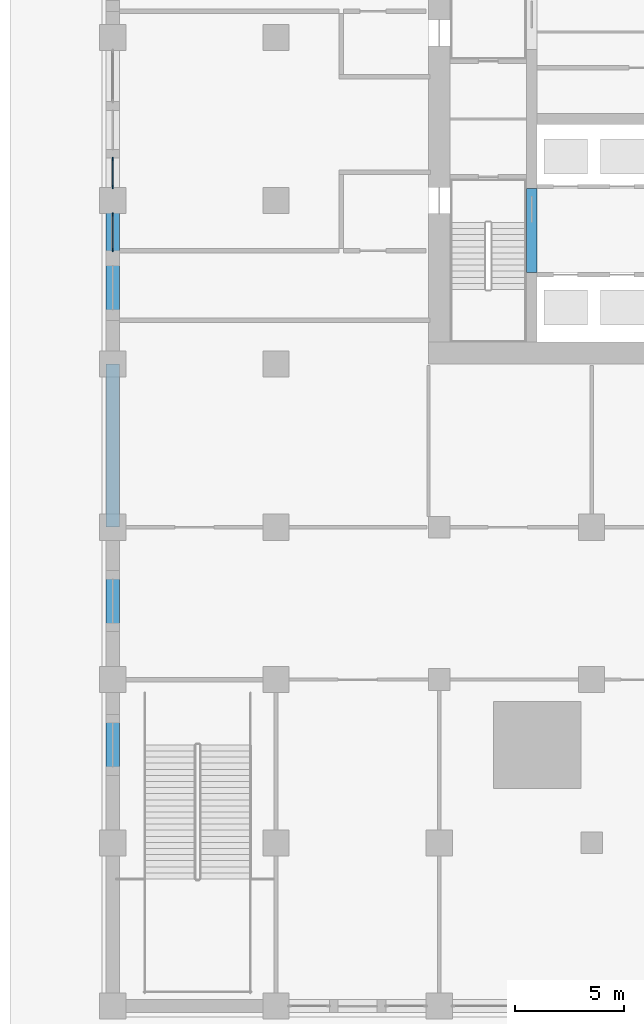
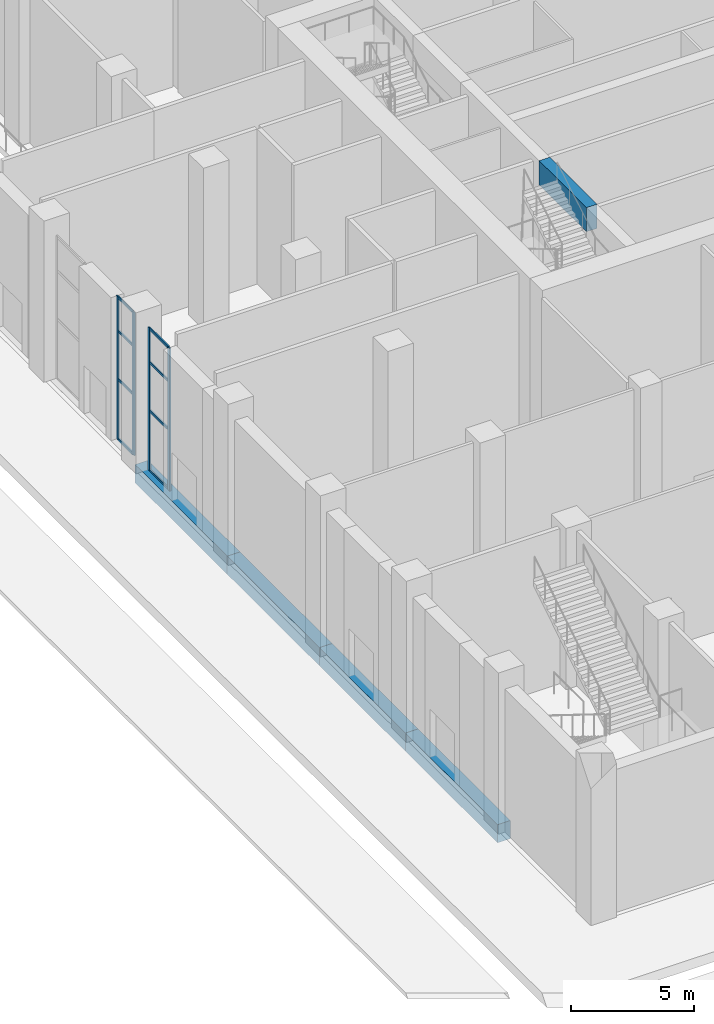
# One storey, part 6 of 57: 12 members, 5 beams, 2 elements without a shape of their own.
"""IFC4 building model written with IfcOpenShell, lengths in metres."""

from ifc_helpers import new_model, si_unit, direction, frame, origin, origin_2d, place, context, subcontext, project, spatial, rectangle, extrude, material, layer, layer_set, material_profile, profile_set, type_object, element, aggregate, save


model = new_model("IFC4")

# Units and contexts
model_context = context("Model", 3, precision=1e-05, world=origin(), true_north=direction((0.0, 1.0)))
body_context = subcontext(model_context, "Body", "Model", "MODEL_VIEW")
ifc_project = project(units=[si_unit("LENGTHUNIT", "METRE"), si_unit("AREAUNIT", "SQUARE_METRE"), si_unit("VOLUMEUNIT", "CUBIC_METRE"), si_unit("PLANEANGLEUNIT", "RADIAN"), si_unit("MASSUNIT", "GRAM", prefix="KILO")], contexts=[model_context])

# Site, building, storey
site_placement = place(None, origin())
site = spatial("IfcSite", under=ifc_project, at=site_placement, CompositionType="ELEMENT")
building_placement = place(site_placement, origin())
building = spatial("IfcBuilding", under=site, at=building_placement, Name="Tamorin Gate", CompositionType="ELEMENT")
storey_placement = place(building_placement, origin())
storey = spatial("IfcBuildingStorey", under=building, at=storey_placement, Name="L00", CompositionType="ELEMENT", Elevation=0.0)

# Beams
ifc_material_1 = material(Name="Concrete C80/95", Category="concrete")
ifc_material_profile_1 = material_profile(ifc_material_1, rectangle(XDim=0.5, YDim=1.199951171875, at=origin_2d()), Name="RC 500x1200")
ifc_profile_set_1 = profile_set([ifc_material_profile_1], Name="Concrete C80/95")
beam_type_1 = type_object("IfcBeamType", Name="RC coupling beam 500x1200 C80/95", PredefinedType="BEAM", material=ifc_profile_set_1)
beam_1_placement = place(storey_placement, frame((34.75, 64.199951171875, 7.39990234375), z_axis=(0.0, 1.0, 0.0), x_axis=(-1.0, 0.0, 0.0)))
element("IfcBeam", 1, at=beam_1_placement, inside=storey, type_object=beam_type_1, Name="Coupling beam L00", PredefinedType="BEAM", context=body_context, shape_type="SweptSolid", body=[
    extrude(rectangle(XDim=0.5, YDim=1.199951171875, at=origin_2d()), origin(), (0.0, 0.0, 1.0), 3.85009765625),
])
ifc_material_2 = material(Name="Concrete C50/60", Category="concrete")
ifc_material_profile_2 = material_profile(ifc_material_2, rectangle(XDim=0.60009765625, YDim=0.89990234375, at=origin_2d()), Name="RC 600x900")
ifc_profile_set_2 = profile_set([ifc_material_profile_2], Name="Concrete C50/60")
beam_type_2 = type_object("IfcBeamType", Name="RC spandrel 600x900 C50/60", PredefinedType="BEAM", material=ifc_profile_set_2)
for number, where, z_axis, x_axis, name in (
    (2, (15.5, 67.5, -0.449951171875), (0.0, -1.0, 0.0), (1.0, 0.0, 0.0), "Spandrel beam L00"),
    (3, (15.5, 60.0, -0.449951171875), (0.0, -1.0, 0.0), (1.0, 0.0, 0.0), "Spandrel beam L00"),
):
    element("IfcBeam", number, at=place(storey_placement, frame(where, z_axis=z_axis, x_axis=x_axis)), inside=storey, type_object=beam_type_2, Name=name, PredefinedType="BEAM", context=body_context, shape_type="SweptSolid", body=[
        extrude(rectangle(XDim=0.60009765625, YDim=0.89990234375, at=origin_2d()), origin(), (0.0, 0.0, 1.0), 7.5),
    ])
beam_2_placement = place(storey_placement, frame((15.5, 52.5, -0.449951171875), z_axis=(0.0, -1.0, 0.0), x_axis=(1.0, 0.0, 0.0)))
element("IfcBeam", 4, at=beam_2_placement, inside=storey, type_object=beam_type_2, Name="Spandrel beam L00", PredefinedType="BEAM", context=body_context, shape_type="SweptSolid", body=[
    extrude(rectangle(XDim=0.60009765625, YDim=0.89990234375, at=origin_2d()), origin(), (0.0, 0.0, 1.0), 7.0),
])
beam_3_placement = place(storey_placement, frame((15.5, 45.5, -0.449951171875), z_axis=(0.0, -1.0, 0.0), x_axis=(1.0, 0.0, 0.0)))
element("IfcBeam", 5, at=beam_3_placement, inside=storey, type_object=beam_type_2, Name="Spandrel beam L00", PredefinedType="BEAM", context=body_context, shape_type="SweptSolid", body=[
    extrude(rectangle(XDim=0.60009765625, YDim=0.89990234375, at=origin_2d()), origin(), (0.0, 0.0, 1.0), 7.5),
])

# Curtain wall, members
ifc_material_3 = material(Name="Aluminium and glass", Category="aluminium")
ifc_layer = layer(ifc_material_3, 0.199951171875)
ifc_layer_set = layer_set([ifc_layer], Name="Retail storefront system")
curtain_wall_type = type_object("IfcCurtainWallType", Name="Retail storefront system", PredefinedType="NOTDEFINED", material=ifc_layer_set)
curtain_wall_1_placement = place(storey_placement, origin())
curtain_wall_1 = element("IfcCurtainWall", 6, at=curtain_wall_1_placement, inside=storey, type_object=curtain_wall_type, Name="Retail storefront system L00", PredefinedType="NOTDEFINED")
ifc_material_4 = material(Name="Aluminium", Category="aluminium")
ifc_material_profile_3 = material_profile(ifc_material_4, rectangle(XDim=0.06005859375, YDim=0.159912109375, at=origin_2d()), Name="RECT 60x160")
ifc_profile_set_3 = profile_set([ifc_material_profile_3], Name="Aluminium")
member_type_1 = type_object("IfcMemberType", Name="Storefront mullion 60x160", PredefinedType="MULLION", material=ifc_profile_set_3)
member_1_placement = place(storey_placement, frame((15.5, 65.22998046875, 0.0), z_axis=(0.0, 0.0, 1.0), x_axis=(-1.0, 0.0, 0.0)))
member_1 = element("IfcMember", 7, at=member_1_placement, type_object=member_type_1, Name="CWP10 mullion 1", PredefinedType="MULLION", context=body_context, shape_type="SweptSolid", body=[
    extrude(rectangle(XDim=0.06005859375, YDim=0.159912109375, at=origin_2d()), origin(), (0.0, 0.0, 1.0), 7.10009765625),
])
member_2_placement = place(storey_placement, frame((15.5, 66.8701171875, 0.0), z_axis=(0.0, 0.0, 1.0), x_axis=(-1.0, 0.0, 0.0)))
member_2 = element("IfcMember", 8, at=member_2_placement, type_object=member_type_1, Name="CWP10 mullion 2", PredefinedType="MULLION", context=body_context, shape_type="SweptSolid", body=[
    extrude(rectangle(XDim=0.06005859375, YDim=0.159912109375, at=origin_2d()), origin(), (0.0, 0.0, 1.0), 7.10009765625),
])

curtain_wall_2_placement = place(storey_placement, origin())
curtain_wall_2 = element("IfcCurtainWall", 9, at=curtain_wall_2_placement, inside=storey, type_object=curtain_wall_type, Name="Retail storefront system L00", PredefinedType="NOTDEFINED")
member_3_placement = place(storey_placement, frame((15.5, 68.1298828125, 0.0), z_axis=(0.0, 0.0, 1.0), x_axis=(-1.0, 0.0, 0.0)))
member_3 = element("IfcMember", 10, at=member_3_placement, type_object=member_type_1, Name="CWP10 mullion 1", PredefinedType="MULLION", context=body_context, shape_type="SweptSolid", body=[
    extrude(rectangle(XDim=0.06005859375, YDim=0.159912109375, at=origin_2d()), origin(), (0.0, 0.0, 1.0), 7.10009765625),
])
member_4_placement = place(storey_placement, frame((15.5, 69.419921875, 0.0), z_axis=(0.0, 0.0, 1.0), x_axis=(-1.0, 0.0, 0.0)))
member_4 = element("IfcMember", 11, at=member_4_placement, type_object=member_type_1, Name="CWP10 mullion 2", PredefinedType="MULLION", context=body_context, shape_type="SweptSolid", body=[
    extrude(rectangle(XDim=0.06005859375, YDim=0.159912109375, at=origin_2d()), origin(), (0.0, 0.0, 1.0), 7.10009765625),
])

# Member
ifc_material_profile_4 = material_profile(ifc_material_4, rectangle(XDim=0.06005859375, YDim=0.1201171875, at=origin_2d()), Name="RECT 60x120")
ifc_profile_set_4 = profile_set([ifc_material_profile_4], Name="Aluminium")
member_type_2 = type_object("IfcMemberType", Name="Storefront transom 60x120", PredefinedType="USERDEFINED", material=ifc_profile_set_4)
member_5_placement = place(storey_placement, frame((15.5, 65.260009765625, 0.030029296875), z_axis=(0.0, 1.0, 0.0), x_axis=(-1.0, 0.0, 0.0)))
member_5 = element("IfcMember", 12, at=member_5_placement, type_object=member_type_2, Name="CWP10 transom 1.1", ObjectType="TRANSOM", PredefinedType="USERDEFINED", context=body_context, shape_type="SweptSolid", body=[
    extrude(rectangle(XDim=0.06005859375, YDim=0.1201171875, at=origin_2d()), origin(), (0.0, 0.0, 1.0), 1.580078125),
])

member_6_placement = place(storey_placement, frame((15.5, 65.260009765625, 3.0), z_axis=(0.0, 1.0, 0.0), x_axis=(-1.0, 0.0, 0.0)))
member_6 = element("IfcMember", 13, at=member_6_placement, type_object=member_type_2, Name="CWP10 transom 1.2", ObjectType="TRANSOM", PredefinedType="USERDEFINED", context=body_context, shape_type="SweptSolid", body=[
    extrude(rectangle(XDim=0.06005859375, YDim=0.1201171875, at=origin_2d()), origin(), (0.0, 0.0, 1.0), 1.580078125),
])

member_7_placement = place(storey_placement, frame((15.5, 65.260009765625, 5.39990234375), z_axis=(0.0, 1.0, 0.0), x_axis=(-1.0, 0.0, 0.0)))
member_7 = element("IfcMember", 14, at=member_7_placement, type_object=member_type_2, Name="CWP10 transom 1.3", ObjectType="TRANSOM", PredefinedType="USERDEFINED", context=body_context, shape_type="SweptSolid", body=[
    extrude(rectangle(XDim=0.06005859375, YDim=0.1201171875, at=origin_2d()), origin(), (0.0, 0.0, 1.0), 1.580078125),
])

member_8_placement = place(storey_placement, frame((15.5, 65.260009765625, 7.070068359375), z_axis=(0.0, 1.0, 0.0), x_axis=(-1.0, 0.0, 0.0)))
member_8 = element("IfcMember", 15, at=member_8_placement, type_object=member_type_2, Name="CWP10 transom 1.4", ObjectType="TRANSOM", PredefinedType="USERDEFINED", context=body_context, shape_type="SweptSolid", body=[
    extrude(rectangle(XDim=0.06005859375, YDim=0.1201171875, at=origin_2d()), origin(), (0.0, 0.0, 1.0), 1.580078125),
])

aggregate(curtain_wall_1, [member_1, member_2, member_5, member_6, member_7, member_8])

member_9_placement = place(storey_placement, frame((15.5, 68.159912109375, 0.030029296875), z_axis=(0.0, 1.0, 0.0), x_axis=(-1.0, 0.0, 0.0)))
member_9 = element("IfcMember", 16, at=member_9_placement, type_object=member_type_2, Name="CWP10 transom 1.1", ObjectType="TRANSOM", PredefinedType="USERDEFINED", context=body_context, shape_type="SweptSolid", body=[
    extrude(rectangle(XDim=0.06005859375, YDim=0.1201171875, at=origin_2d()), origin(), (0.0, 0.0, 1.0), 1.22998046875),
])

member_10_placement = place(storey_placement, frame((15.5, 68.159912109375, 3.0), z_axis=(0.0, 1.0, 0.0), x_axis=(-1.0, 0.0, 0.0)))
member_10 = element("IfcMember", 17, at=member_10_placement, type_object=member_type_2, Name="CWP10 transom 1.2", ObjectType="TRANSOM", PredefinedType="USERDEFINED", context=body_context, shape_type="SweptSolid", body=[
    extrude(rectangle(XDim=0.06005859375, YDim=0.1201171875, at=origin_2d()), origin(), (0.0, 0.0, 1.0), 1.22998046875),
])

member_11_placement = place(storey_placement, frame((15.5, 68.159912109375, 5.39990234375), z_axis=(0.0, 1.0, 0.0), x_axis=(-1.0, 0.0, 0.0)))
member_11 = element("IfcMember", 18, at=member_11_placement, type_object=member_type_2, Name="CWP10 transom 1.3", ObjectType="TRANSOM", PredefinedType="USERDEFINED", context=body_context, shape_type="SweptSolid", body=[
    extrude(rectangle(XDim=0.06005859375, YDim=0.1201171875, at=origin_2d()), origin(), (0.0, 0.0, 1.0), 1.22998046875),
])

member_12_placement = place(storey_placement, frame((15.5, 68.159912109375, 7.070068359375), z_axis=(0.0, 1.0, 0.0), x_axis=(-1.0, 0.0, 0.0)))
member_12 = element("IfcMember", 19, at=member_12_placement, type_object=member_type_2, Name="CWP10 transom 1.4", ObjectType="TRANSOM", PredefinedType="USERDEFINED", context=body_context, shape_type="SweptSolid", body=[
    extrude(rectangle(XDim=0.06005859375, YDim=0.1201171875, at=origin_2d()), origin(), (0.0, 0.0, 1.0), 1.22998046875),
])

aggregate(curtain_wall_2, [member_3, member_4, member_9, member_10, member_11, member_12])

save(model, "model.ifc")
